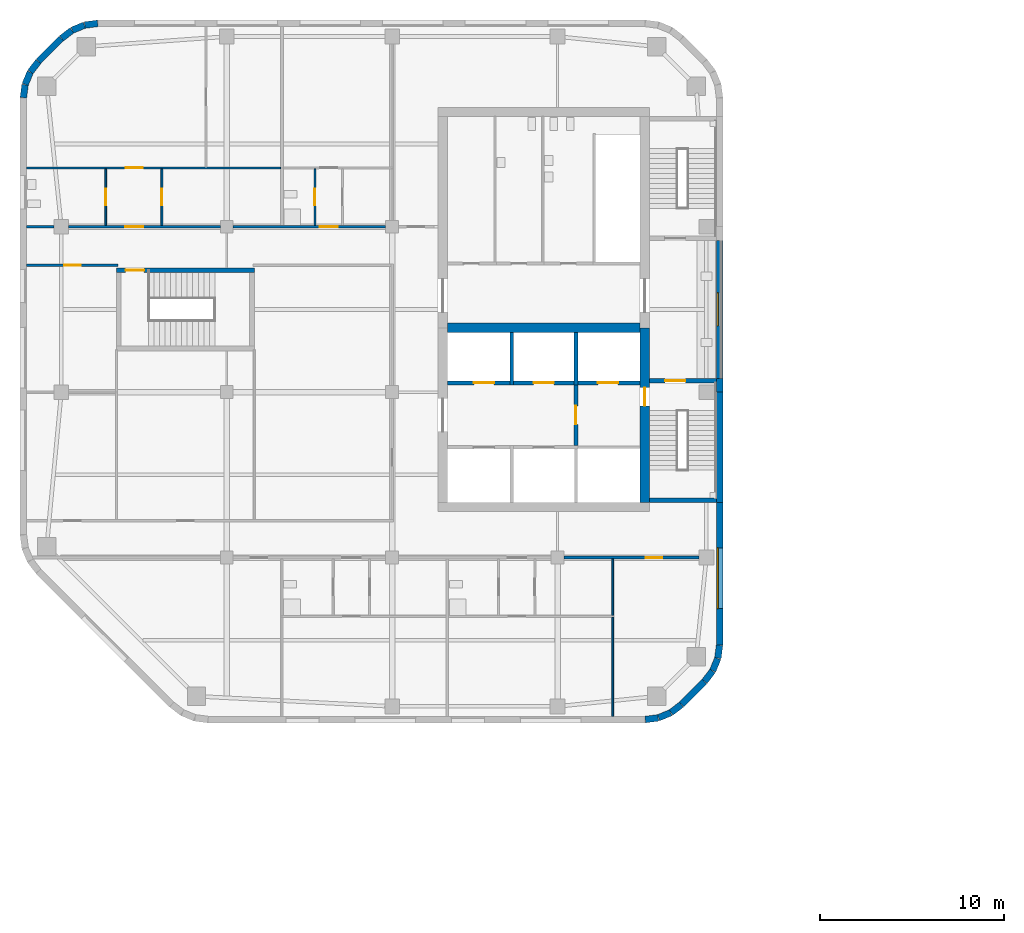
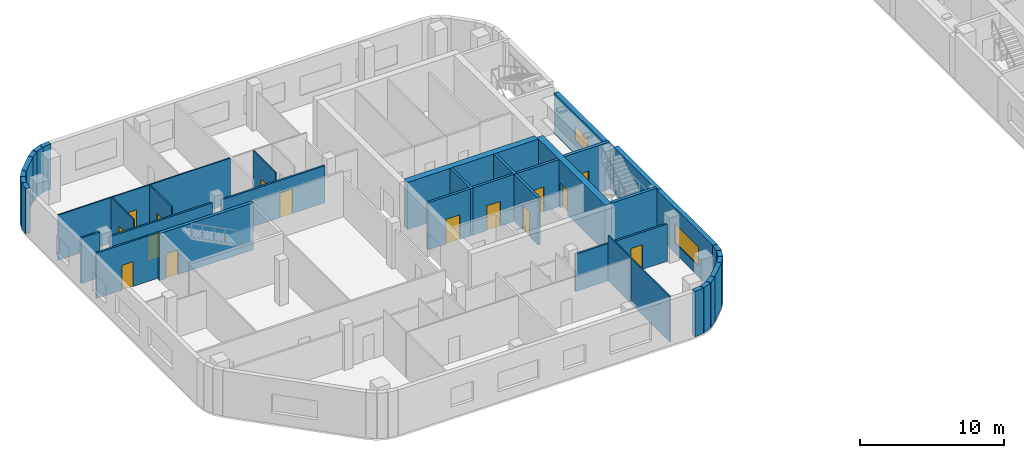
# One storey, part 6 of 15: 40 walls, 15 doors, 2 windows, 17 openings.
"""IFC4 building model written with IfcOpenShell, lengths in metres."""

from ifc_helpers import new_model, si_unit, direction, frame, frame_2d, origin, place, context, subcontext, project, spatial, rectangle, extrude, material, layer, layer_set, type_object, element, fill, save


model = new_model("IFC4")

# Units and contexts
model_context = context("Model", 3, precision=1e-05, world=origin(), true_north=direction((0.0, 1.0)))
body_context = subcontext(model_context, "Body", "Model", "MODEL_VIEW")
ifc_project = project(units=[si_unit("LENGTHUNIT", "METRE"), si_unit("AREAUNIT", "SQUARE_METRE"), si_unit("VOLUMEUNIT", "CUBIC_METRE"), si_unit("PLANEANGLEUNIT", "RADIAN"), si_unit("MASSUNIT", "GRAM", prefix="KILO")], contexts=[model_context])

# Site, building, storey
site_placement = place(None, origin())
site = spatial("IfcSite", under=ifc_project, at=site_placement, CompositionType="ELEMENT")
building_placement = place(site_placement, origin())
building = spatial("IfcBuilding", under=site, at=building_placement, Name="Cinnabar Reach Civic Tower", CompositionType="ELEMENT")
storey_placement = place(building_placement, frame((0.0, 0.0, 67.0)))
storey = spatial("IfcBuildingStorey", under=building, at=storey_placement, Name="L15", CompositionType="ELEMENT", Elevation=67.0)

# Walls
ifc_material_1 = material(Name="Facing brick with insulated backing", Category="masonry")
ifc_layer_1 = layer(ifc_material_1, 0.36)
ifc_layer_set_1 = layer_set([ifc_layer_1], Name="Brick corner wall")
wall_type_1 = type_object("IfcWallType", Name="Brick corner wall", PredefinedType="STANDARD", material=ifc_layer_set_1)
for number, where, z_axis, x_axis, name in (
    (1, (-31.2314, 9.183, 0.0), (0.0, 0.0, 1.0), (0.99144092581, 0.13055608231, 0.0), "Brick corner wall"),
    (2, (-30.5027, 9.2819, 0.0), (0.0, 0.0, 1.0), (0.923871547278, 0.382702709855, 0.0), "Brick corner wall"),
):
    element("IfcWall", number, at=place(storey_placement, frame(where, z_axis=z_axis, x_axis=x_axis)), inside=storey, type_object=wall_type_1, Name=name, PredefinedType="STANDARD", context=body_context, shape_type="SweptSolid", body=[
        extrude(rectangle(XDim=0.7131, YDim=0.36, at=frame_2d((0.3565, 0.0))), origin(), (0.0, 0.0, 1.0), 3.85),
    ])
for number, where, z_axis, x_axis, name in (
    (3, (-29.8245, 9.566, 0.0), (0.0, 0.0, 1.0), (0.793321924995, 0.608802368033, 0.0), "Brick corner wall"),
    (4, (-28.0002, 11.2587, 0.0), (0.0, 0.0, 1.0), (0.608802368033, 0.793321924995, 0.0), "Brick corner wall"),
):
    element("IfcWall", number, at=place(storey_placement, frame(where, z_axis=z_axis, x_axis=x_axis)), inside=storey, type_object=wall_type_1, Name=name, PredefinedType="STANDARD", context=body_context, shape_type="SweptSolid", body=[
        extrude(rectangle(XDim=0.7132, YDim=0.36, at=frame_2d((0.3566, 0.0))), origin(), (0.0, 0.0, 1.0), 3.85),
    ])
for number, where, z_axis, x_axis, name in (
    (5, (-27.5548, 11.8439, 0.0), (0.0, 0.0, 1.0), (0.382702709855, 0.923871547278, 0.0), "Brick corner wall"),
    (6, (-27.2761, 12.5244, 0.0), (0.0, 0.0, 1.0), (0.13055608231, 0.99144092581, 0.0), "Brick corner wall"),
    (7, (-61.0186, 47.067, 0.0), (0.0, 0.0, 1.0), (-0.99144092581, -0.13055608231, 0.0), "Brick corner wall"),
    (8, (-61.7473, 46.9681, 0.0), (0.0, 0.0, 1.0), (-0.923871547278, -0.382702709855, 0.0), "Brick corner wall"),
):
    element("IfcWall", number, at=place(storey_placement, frame(where, z_axis=z_axis, x_axis=x_axis)), inside=storey, type_object=wall_type_1, Name=name, PredefinedType="STANDARD", context=body_context, shape_type="SweptSolid", body=[
        extrude(rectangle(XDim=0.7131, YDim=0.36, at=frame_2d((0.3565, 0.0))), origin(), (0.0, 0.0, 1.0), 3.85),
    ])
for number, where, z_axis, x_axis, name in (
    (9, (-62.4255, 46.684, 0.0), (0.0, 0.0, 1.0), (-0.793321924995, -0.608802368033, 0.0), "Brick corner wall"),
    (10, (-64.2498, 44.9913, 0.0), (0.0, 0.0, 1.0), (-0.608802368033, -0.793321924995, 0.0), "Brick corner wall"),
):
    element("IfcWall", number, at=place(storey_placement, frame(where, z_axis=z_axis, x_axis=x_axis)), inside=storey, type_object=wall_type_1, Name=name, PredefinedType="STANDARD", context=body_context, shape_type="SweptSolid", body=[
        extrude(rectangle(XDim=0.7132, YDim=0.36, at=frame_2d((0.3566, 0.0))), origin(), (0.0, 0.0, 1.0), 3.85),
    ])
for number, where, z_axis, x_axis, name in (
    (11, (-64.6952, 44.4061, 0.0), (0.0, 0.0, 1.0), (-0.382702709855, -0.923871547278, 0.0), "Brick corner wall"),
    (12, (-64.9739, 43.7256, 0.0), (0.0, 0.0, 1.0), (-0.13055608231, -0.99144092581, 0.0), "Brick corner wall"),
):
    element("IfcWall", number, at=place(storey_placement, frame(where, z_axis=z_axis, x_axis=x_axis)), inside=storey, type_object=wall_type_1, Name=name, PredefinedType="STANDARD", context=body_context, shape_type="SweptSolid", body=[
        extrude(rectangle(XDim=0.7131, YDim=0.36, at=frame_2d((0.3565, 0.0))), origin(), (0.0, 0.0, 1.0), 3.85),
    ])
ifc_layer_2 = layer(ifc_material_1, 0.36)
ifc_layer_set_2 = layer_set([ifc_layer_2], Name="Brick pier and spandrel wall")
wall_type_2 = type_object("IfcWallType", Name="Brick pier and spandrel wall", PredefinedType="STANDARD", material=ifc_layer_set_2)
wall_1_placement = place(storey_placement, frame((-29.2486, 10.006, 0.0), z_axis=(0.0, 0.0, 1.0), x_axis=(0.707106781187, 0.707106781187, 0.0)))
element("IfcWall", 13, at=wall_1_placement, inside=storey, type_object=wall_type_2, Name="Brick facade wall", PredefinedType="STANDARD", context=body_context, shape_type="SweptSolid", body=[
    extrude(rectangle(XDim=1.7573, YDim=0.36, at=frame_2d((0.8787, 0.0))), origin(), (0.0, 0.0, 1.0), 3.85),
])

# Wall, opening, window
wall_2_placement = place(storey_placement, frame((-27.18, 13.2426, 0.0), z_axis=(0.0, 0.0, 1.0), x_axis=(0.0, 1.0, 0.0)))
wall_2 = element("IfcWall", 14, at=wall_2_placement, inside=storey, type_object=wall_type_2, Name="Brick facade wall", PredefinedType="STANDARD", context=body_context, shape_type="SweptSolid", body=[
    extrude(rectangle(XDim=7.7574, YDim=0.36, at=frame_2d((3.8787, 0.0))), origin(), (0.0, 0.0, 1.0), 3.85),
])
opening_1_placement = place(wall_2_placement, frame((1.9824, 0.0, 0.9)))
opening_1 = element("IfcOpeningElement", 15, at=opening_1_placement, cuts=wall_2, Name="Opening W2555", PredefinedType="OPENING", context=body_context, shape_type="SweptSolid", body=[
    extrude(rectangle(XDim=3.3, YDim=1.6, at=frame_2d((1.65, 0.8))), frame((0.0, 0.19, 0.0), z_axis=(0.0, -1.0, 0.0), x_axis=(1.0, 0.0, 0.0)), (0.0, 0.0, 1.0), 0.38),
])
ifc_material_2 = material(Name="Clear double glazing in aluminium frame", Category="aluminium")
window_type_1 = type_object("IfcWindowType", Name="Deep-set window A", PartitioningType="SINGLE_PANEL", PredefinedType="WINDOW", material=ifc_material_2)
window_1_placement = place(opening_1_placement, origin())
window_1 = element("IfcWindow", 16, at=window_1_placement, inside=storey, type_object=window_type_1, Name="Window east face", OverallHeight=1.6, OverallWidth=3.3, PartitioningType="SINGLE_PANEL", PredefinedType="WINDOW", context=body_context, shape_type="SweptSolid", body=[
    extrude(rectangle(XDim=3.3, YDim=1.6, at=frame_2d((1.65, 0.8))), frame((0.0, 0.13, 0.0), z_axis=(0.0, -1.0, 0.0), x_axis=(1.0, 0.0, 0.0)), (0.0, 0.0, 1.0), 0.06),
])
fill(opening_1, window_1)

# Walls
wall_3_placement = place(storey_placement, frame((-27.18, 21.0, 0.0), z_axis=(0.0, 0.0, 1.0), x_axis=(0.0, 1.0, 0.0)))
element("IfcWall", 17, at=wall_3_placement, inside=storey, type_object=wall_type_2, Name="Brick facade wall", PredefinedType="STANDARD", context=body_context, shape_type="SweptSolid", body=[
    extrude(rectangle(XDim=6.0, YDim=0.36, at=frame_2d((3.0, 0.0))), origin(), (0.0, 0.0, 1.0), 3.85),
])
wall_4_placement = place(storey_placement, frame((-27.18, 27.0, 0.0), z_axis=(0.0, 0.0, 1.0), x_axis=(0.0, 1.0, 0.0)))
element("IfcWall", 18, at=wall_4_placement, inside=storey, type_object=wall_type_2, Name="Brick facade wall", PredefinedType="STANDARD", context=body_context, shape_type="SweptSolid", body=[
    extrude(rectangle(XDim=0.75, YDim=0.36, at=frame_2d((0.375, 0.0))), origin(), (0.0, 0.0, 1.0), 3.436),
])

# Wall, opening, window
wall_5_placement = place(storey_placement, frame((-27.18, 27.75, 0.0), z_axis=(0.0, 0.0, 1.0), x_axis=(0.0, 1.0, 0.0)))
wall_5 = element("IfcWall", 19, at=wall_5_placement, inside=storey, type_object=wall_type_2, Name="Brick facade wall", PredefinedType="STANDARD", context=body_context, shape_type="SweptSolid", body=[
    extrude(rectangle(XDim=7.5, YDim=0.36, at=frame_2d((3.75, 0.0))), origin(), (0.0, 0.0, 1.0), 3.436),
])
opening_2_placement = place(wall_5_placement, frame((2.85, 0.0, 1.2)))
opening_2 = element("IfcOpeningElement", 20, at=opening_2_placement, cuts=wall_5, Name="Opening W2556", PredefinedType="OPENING", context=body_context, shape_type="SweptSolid", body=[
    extrude(rectangle(XDim=1.8, YDim=1.2, at=frame_2d((0.9, 0.6))), frame((0.0, 0.19, 0.0), z_axis=(0.0, -1.0, 0.0), x_axis=(1.0, 0.0, 0.0)), (0.0, 0.0, 1.0), 0.38),
])
window_type_2 = type_object("IfcWindowType", Name="Deep-set window C", PartitioningType="SINGLE_PANEL", PredefinedType="WINDOW", material=ifc_material_2)
window_2_placement = place(opening_2_placement, origin())
window_2 = element("IfcWindow", 21, at=window_2_placement, inside=storey, type_object=window_type_2, Name="Window east face", OverallHeight=1.2, OverallWidth=1.8, PartitioningType="SINGLE_PANEL", PredefinedType="WINDOW", context=body_context, shape_type="SweptSolid", body=[
    extrude(rectangle(XDim=1.8, YDim=1.2, at=frame_2d((0.9, 0.6))), frame((0.0, 0.13, 0.0), z_axis=(0.0, -1.0, 0.0), x_axis=(1.0, 0.0, 0.0)), (0.0, 0.0, 1.0), 0.06),
])
fill(opening_2, window_2)

# Wall
wall_6_placement = place(storey_placement, frame((-63.0014, 46.244, 0.0), z_axis=(0.0, 0.0, 1.0), x_axis=(-0.707106781187, -0.707106781187, 0.0)))
element("IfcWall", 22, at=wall_6_placement, inside=storey, type_object=wall_type_2, Name="Brick facade wall", PredefinedType="STANDARD", context=body_context, shape_type="SweptSolid", body=[
    extrude(rectangle(XDim=1.7573, YDim=0.36, at=frame_2d((0.8787, 0.0))), origin(), (0.0, 0.0, 1.0), 3.85),
])

# Wall, opening, door
ifc_material_3 = material(Name="Concrete C60", Category="concrete")
ifc_layer_3 = layer(ifc_material_3, 0.5)
ifc_layer_set_3 = layer_set([ifc_layer_3], Name="Core wall 500 EI 180")
wall_type_3 = type_object("IfcWallType", Name="Core wall 500 EI 180", PredefinedType="SOLIDWALL", material=ifc_layer_set_3)
wall_7_placement = place(storey_placement, frame((-31.25, 21.0, 0.0), z_axis=(0.0, 0.0, 1.0), x_axis=(0.0, 1.0, 0.0)))
wall_7 = element("IfcWall", 23, at=wall_7_placement, inside=storey, type_object=wall_type_3, Name="Core wall T2 L15 E", PredefinedType="SOLIDWALL", context=body_context, shape_type="SweptSolid", body=[
    extrude(rectangle(XDim=9.5, YDim=0.5, at=frame_2d((4.75, 0.0))), origin(), (0.0, 0.0, 1.0), 4.0),
])
opening_3_placement = place(wall_7_placement, frame((5.25, 0.0, 0.0)))
opening_3 = element("IfcOpeningElement", 24, at=opening_3_placement, cuts=wall_7, Name="Opening D6566", PredefinedType="OPENING", context=body_context, shape_type="SweptSolid", body=[
    extrude(rectangle(XDim=1.0, YDim=2.1, at=frame_2d((0.5, 1.05))), frame((0.0, 0.26, 0.0), z_axis=(0.0, -1.0, 0.0), x_axis=(1.0, 0.0, 0.0)), (0.0, 0.0, 1.0), 0.52),
])
ifc_material_4 = material(Name="Steel fire door", Category="steel")
door_type_1 = type_object("IfcDoorType", Name="T2 Firefighting lobby door 1000", OperationType="SINGLE_SWING_LEFT", PredefinedType="DOOR", material=ifc_material_4)
door_1_placement = place(opening_3_placement, frame((1.0, 0.0, 0.0), z_axis=(0.0, 0.0, 1.0), x_axis=(-1.0, 0.0, 0.0)))
door_1 = element("IfcDoor", 25, at=door_1_placement, inside=storey, type_object=door_type_1, Name="T2 Firefighting lobby door D6566", OperationType="SINGLE_SWING_LEFT", OverallHeight=2.1, OverallWidth=1.0, PredefinedType="DOOR", context=body_context, shape_type="SweptSolid", body=[
    extrude(rectangle(XDim=1.0, YDim=2.1, at=frame_2d((0.5, 1.05))), frame((0.0, 0.025, 0.0), z_axis=(0.0, -1.0, 0.0), x_axis=(1.0, 0.0, 0.0)), (0.0, 0.0, 1.0), 0.05),
])
fill(opening_3, door_1)

# Wall
wall_8_placement = place(storey_placement, frame((-42.0, 30.5, 0.0), z_axis=(0.0, 0.0, 1.0), x_axis=(1.0, 0.0, 0.0)))
element("IfcWall", 26, at=wall_8_placement, inside=storey, type_object=wall_type_3, Name="Core spine wall T2 L15", PredefinedType="SOLIDWALL", context=body_context, shape_type="SweptSolid", body=[
    extrude(rectangle(XDim=10.5, YDim=0.5, at=frame_2d((5.25, 0.0))), origin(), (0.0, 0.0, 1.0), 4.0),
])

# Wall, opening, door
ifc_material_5 = material(Name="Gypsum board on steel studs, double layer", Category="steel")
ifc_layer_4 = layer(ifc_material_5, 0.15)
ifc_layer_set_4 = layer_set([ifc_layer_4], Name="Corridor wall 150 T2")
wall_type_4 = type_object("IfcWallType", Name="Corridor wall 150 T2", PredefinedType="PARTITIONING", material=ifc_layer_set_4)
wall_9_placement = place(storey_placement, frame((-35.65, 18.0, 0.0), z_axis=(0.0, 0.0, 1.0), x_axis=(1.0, 0.0, 0.0)))
wall_9 = element("IfcWall", 27, at=wall_9_placement, inside=storey, type_object=wall_type_4, Name="Corridor wall 1", PredefinedType="PARTITIONING", context=body_context, shape_type="SweptSolid", body=[
    extrude(rectangle(XDim=7.35, YDim=0.15, at=frame_2d((3.675, 0.0))), origin(), (0.0, 0.0, 1.0), 3.158),
])
opening_4_placement = place(wall_9_placement, frame((4.45, 0.0, 0.0)))
opening_4 = element("IfcOpeningElement", 28, at=opening_4_placement, cuts=wall_9, Name="Opening D6585", PredefinedType="OPENING", context=body_context, shape_type="SweptSolid", body=[
    extrude(rectangle(XDim=0.9, YDim=2.1, at=frame_2d((0.45, 1.05))), frame((0.0, 0.085, 0.0), z_axis=(0.0, -1.0, 0.0), x_axis=(1.0, 0.0, 0.0)), (0.0, 0.0, 1.0), 0.17),
])
ifc_material_6 = material(Name="Timber door leaf in steel frame", Category="steel")
door_type_2 = type_object("IfcDoorType", Name="Single swing door 900 x 2100 T2", OperationType="SINGLE_SWING_LEFT", PredefinedType="DOOR", material=ifc_material_6)
door_2_placement = place(opening_4_placement, frame((0.9, 0.0, 0.0), z_axis=(0.0, 0.0, 1.0), x_axis=(-1.0, 0.0, 0.0)))
door_2 = element("IfcDoor", 29, at=door_2_placement, inside=storey, type_object=door_type_2, Name="Door D6585", OperationType="SINGLE_SWING_RIGHT", OverallHeight=2.1, OverallWidth=0.9, PredefinedType="DOOR", context=body_context, shape_type="SweptSolid", body=[
    extrude(rectangle(XDim=0.9, YDim=2.1, at=frame_2d((0.45, 1.05))), frame((0.0, 0.025, 0.0), z_axis=(0.0, -1.0, 0.0), x_axis=(1.0, 0.0, 0.0)), (0.0, 0.0, 1.0), 0.05),
])
fill(opening_4, door_2)

wall_10_placement = place(storey_placement, frame((-53.65, 36.0, 0.0), z_axis=(0.0, 0.0, 1.0), x_axis=(1.0, 0.0, 0.0)))
wall_10 = element("IfcWall", 30, at=wall_10_placement, inside=storey, type_object=wall_type_4, Name="Corridor wall 6", PredefinedType="PARTITIONING", context=body_context, shape_type="SweptSolid", body=[
    extrude(rectangle(XDim=8.3, YDim=0.15, at=frame_2d((4.15, 0.0))), origin(), (0.0, 0.0, 1.0), 3.158),
])
opening_5_placement = place(wall_10_placement, frame((4.7, 0.0, 0.0)))
opening_5 = element("IfcOpeningElement", 31, at=opening_5_placement, cuts=wall_10, Name="Opening D6594", PredefinedType="OPENING", context=body_context, shape_type="SweptSolid", body=[
    extrude(rectangle(XDim=1.0, YDim=2.1, at=frame_2d((0.5, 1.05))), frame((0.0, 0.085, 0.0), z_axis=(0.0, -1.0, 0.0), x_axis=(1.0, 0.0, 0.0)), (0.0, 0.0, 1.0), 0.17),
])
door_type_3 = type_object("IfcDoorType", Name="Tenancy entrance door 1000 x 2100 T2", OperationType="SINGLE_SWING_LEFT", PredefinedType="DOOR", material=ifc_material_6)
door_3_placement = place(opening_5_placement, origin())
door_3 = element("IfcDoor", 32, at=door_3_placement, inside=storey, type_object=door_type_3, Name="Door D6594", OperationType="SINGLE_SWING_RIGHT", OverallHeight=2.1, OverallWidth=1.0, PredefinedType="DOOR", context=body_context, shape_type="SweptSolid", body=[
    extrude(rectangle(XDim=1.0, YDim=2.1, at=frame_2d((0.5, 1.05))), frame((0.0, 0.025, 0.0), z_axis=(0.0, -1.0, 0.0), x_axis=(1.0, 0.0, 0.0)), (0.0, 0.0, 1.0), 0.05),
])
fill(opening_5, door_3)

wall_11_placement = place(storey_placement, frame((-62.6, 36.0, 0.0), z_axis=(0.0, 0.0, 1.0), x_axis=(1.0, 0.0, 0.0)))
wall_11 = element("IfcWall", 33, at=wall_11_placement, inside=storey, type_object=wall_type_4, Name="Corridor wall 7", PredefinedType="PARTITIONING", context=body_context, shape_type="SweptSolid", body=[
    extrude(rectangle(XDim=8.25, YDim=0.15, at=frame_2d((4.125, 0.0))), origin(), (0.0, 0.0, 1.0), 3.158),
])
opening_6_placement = place(wall_11_placement, frame((3.0659, 0.0, 0.0)))
opening_6 = element("IfcOpeningElement", 34, at=opening_6_placement, cuts=wall_11, Name="Opening D6590", PredefinedType="OPENING", context=body_context, shape_type="SweptSolid", body=[
    extrude(rectangle(XDim=1.0, YDim=2.1, at=frame_2d((0.5, 1.05))), frame((0.0, 0.085, 0.0), z_axis=(0.0, -1.0, 0.0), x_axis=(1.0, 0.0, 0.0)), (0.0, 0.0, 1.0), 0.17),
])
door_4_placement = place(opening_6_placement, origin())
door_4 = element("IfcDoor", 35, at=door_4_placement, inside=storey, type_object=door_type_3, Name="Door D6590", OperationType="SINGLE_SWING_RIGHT", OverallHeight=2.1, OverallWidth=1.0, PredefinedType="DOOR", context=body_context, shape_type="SweptSolid", body=[
    extrude(rectangle(XDim=1.0, YDim=2.1, at=frame_2d((0.5, 1.05))), frame((0.0, 0.025, 0.0), z_axis=(0.0, -1.0, 0.0), x_axis=(1.0, 0.0, 0.0)), (0.0, 0.0, 1.0), 0.05),
])
fill(opening_6, door_4)

# Wall
wall_12_placement = place(storey_placement, frame((-64.89, 36.0, 0.0), z_axis=(0.0, 0.0, 1.0), x_axis=(1.0, 0.0, 0.0)))
element("IfcWall", 36, at=wall_12_placement, inside=storey, type_object=wall_type_4, Name="Corridor wall 8", PredefinedType="PARTITIONING", context=body_context, shape_type="SweptSolid", body=[
    extrude(rectangle(XDim=1.49, YDim=0.15, at=frame_2d((0.745, 0.0))), origin(), (0.0, 0.0, 1.0), 3.85),
])

# Wall, opening, door
wall_13_placement = place(storey_placement, frame((-64.89, 33.9, 0.0), z_axis=(0.0, 0.0, 1.0), x_axis=(1.0, 0.0, 0.0)))
wall_13 = element("IfcWall", 37, at=wall_13_placement, inside=storey, type_object=wall_type_4, Name="Corridor wall 13", PredefinedType="PARTITIONING", context=body_context, shape_type="SweptSolid", body=[
    extrude(rectangle(XDim=4.965, YDim=0.15, at=frame_2d((2.4825, 0.0))), origin(), (0.0, 0.0, 1.0), 3.85),
])
opening_7_placement = place(wall_13_placement, frame((2.05, 0.0, 0.0)))
opening_7 = element("IfcOpeningElement", 38, at=opening_7_placement, cuts=wall_13, Name="Opening D6596", PredefinedType="OPENING", context=body_context, shape_type="SweptSolid", body=[
    extrude(rectangle(XDim=0.9, YDim=2.1, at=frame_2d((0.45, 1.05))), frame((0.0, 0.085, 0.0), z_axis=(0.0, -1.0, 0.0), x_axis=(1.0, 0.0, 0.0)), (0.0, 0.0, 1.0), 0.17),
])
door_5_placement = place(opening_7_placement, frame((0.9, 0.0, 0.0), z_axis=(0.0, 0.0, 1.0), x_axis=(-1.0, 0.0, 0.0)))
door_5 = element("IfcDoor", 39, at=door_5_placement, inside=storey, type_object=door_type_2, Name="Door D6596", OperationType="SINGLE_SWING_LEFT", OverallHeight=2.1, OverallWidth=0.9, PredefinedType="DOOR", context=body_context, shape_type="SweptSolid", body=[
    extrude(rectangle(XDim=0.9, YDim=2.1, at=frame_2d((0.45, 1.05))), frame((0.0, 0.025, 0.0), z_axis=(0.0, -1.0, 0.0), x_axis=(1.0, 0.0, 0.0)), (0.0, 0.0, 1.0), 0.05),
])
fill(opening_7, door_5)

ifc_material_7 = material(Name="Gypsum board on steel studs", Category="steel")
ifc_layer_5 = layer(ifc_material_7, 0.1)
ifc_layer_set_5 = layer_set([ifc_layer_5], Name="Partition wall 100 T2")
wall_type_5 = type_object("IfcWallType", Name="Partition wall 100 T2", PredefinedType="PARTITIONING", material=ifc_layer_set_5)
wall_14_placement = place(storey_placement, frame((-64.89, 39.2, 0.0), z_axis=(0.0, 0.0, 1.0), x_axis=(1.0, 0.0, 0.0)))
wall_14 = element("IfcWall", 40, at=wall_14_placement, inside=storey, type_object=wall_type_5, Name="Partition wall 17", PredefinedType="PARTITIONING", context=body_context, shape_type="SweptSolid", body=[
    extrude(rectangle(XDim=13.815, YDim=0.1, at=frame_2d((6.9075, 0.0))), origin(), (0.0, 0.0, 1.0), 3.85),
])
opening_8_placement = place(wall_14_placement, frame((5.4059, 0.0, 0.0)))
opening_8 = element("IfcOpeningElement", 41, at=opening_8_placement, cuts=wall_14, Name="Opening D6588", PredefinedType="OPENING", context=body_context, shape_type="SweptSolid", body=[
    extrude(rectangle(XDim=0.9, YDim=2.1, at=frame_2d((0.45, 1.05))), frame((0.0, 0.06, 0.0), z_axis=(0.0, -1.0, 0.0), x_axis=(1.0, 0.0, 0.0)), (0.0, 0.0, 1.0), 0.12),
])
door_6_placement = place(opening_8_placement, frame((0.9, 0.0, 0.0), z_axis=(0.0, 0.0, 1.0), x_axis=(-1.0, 0.0, 0.0)))
door_6 = element("IfcDoor", 42, at=door_6_placement, inside=storey, type_object=door_type_2, Name="Door D6588", OperationType="SINGLE_SWING_LEFT", OverallHeight=2.1, OverallWidth=0.9, PredefinedType="DOOR", context=body_context, shape_type="SweptSolid", body=[
    extrude(rectangle(XDim=0.9, YDim=2.1, at=frame_2d((0.45, 1.05))), frame((0.0, 0.025, 0.0), z_axis=(0.0, -1.0, 0.0), x_axis=(1.0, 0.0, 0.0)), (0.0, 0.0, 1.0), 0.05),
])
fill(opening_8, door_6)

# Walls
wall_15_placement = place(storey_placement, frame((-33.0, 14.85, 0.0), z_axis=(0.0, 0.0, 1.0), x_axis=(0.0, 1.0, 0.0)))
element("IfcWall", 43, at=wall_15_placement, inside=storey, type_object=wall_type_5, Name="Partition wall 26", PredefinedType="PARTITIONING", context=body_context, shape_type="SweptSolid", body=[
    extrude(rectangle(XDim=3.075, YDim=0.1, at=frame_2d((1.5375, 0.0))), origin(), (0.0, 0.0, 1.0), 3.85),
])
wall_16_placement = place(storey_placement, frame((-33.0, 9.36, 0.0), z_axis=(0.0, 0.0, 1.0), x_axis=(0.0, 1.0, 0.0)))
element("IfcWall", 44, at=wall_16_placement, inside=storey, type_object=wall_type_5, Name="Partition wall 27", PredefinedType="PARTITIONING", context=body_context, shape_type="SweptSolid", body=[
    extrude(rectangle(XDim=5.39, YDim=0.1, at=frame_2d((2.695, 0.0))), origin(), (0.0, 0.0, 1.0), 3.85),
])

# Wall, opening, door
wall_17_placement = place(storey_placement, frame((-60.5841, 36.075, 0.0), z_axis=(0.0, 0.0, 1.0), x_axis=(0.0, 1.0, 0.0)))
wall_17 = element("IfcWall", 45, at=wall_17_placement, inside=storey, type_object=wall_type_5, Name="Partition wall 31", PredefinedType="PARTITIONING", context=body_context, shape_type="SweptSolid", body=[
    extrude(rectangle(XDim=3.075, YDim=0.1, at=frame_2d((1.5375, 0.0))), origin(), (0.0, 0.0, 1.0), 3.85),
])
opening_9_placement = place(wall_17_placement, frame((1.1, 0.0, 0.0)))
opening_9 = element("IfcOpeningElement", 46, at=opening_9_placement, cuts=wall_17, Name="Opening D6586", PredefinedType="OPENING", context=body_context, shape_type="SweptSolid", body=[
    extrude(rectangle(XDim=0.9, YDim=2.1, at=frame_2d((0.45, 1.05))), frame((0.0, 0.06, 0.0), z_axis=(0.0, -1.0, 0.0), x_axis=(1.0, 0.0, 0.0)), (0.0, 0.0, 1.0), 0.12),
])
door_7_placement = place(opening_9_placement, origin())
door_7 = element("IfcDoor", 47, at=door_7_placement, inside=storey, type_object=door_type_2, Name="Door D6586", OperationType="SINGLE_SWING_RIGHT", OverallHeight=2.1, OverallWidth=0.9, PredefinedType="DOOR", context=body_context, shape_type="SweptSolid", body=[
    extrude(rectangle(XDim=0.9, YDim=2.1, at=frame_2d((0.45, 1.05))), frame((0.0, 0.025, 0.0), z_axis=(0.0, -1.0, 0.0), x_axis=(1.0, 0.0, 0.0)), (0.0, 0.0, 1.0), 0.05),
])
fill(opening_9, door_7)

wall_18_placement = place(storey_placement, frame((-57.5283, 36.075, 0.0), z_axis=(0.0, 0.0, 1.0), x_axis=(0.0, 1.0, 0.0)))
wall_18 = element("IfcWall", 48, at=wall_18_placement, inside=storey, type_object=wall_type_5, Name="Partition wall 32", PredefinedType="PARTITIONING", context=body_context, shape_type="SweptSolid", body=[
    extrude(rectangle(XDim=3.075, YDim=0.1, at=frame_2d((1.5375, 0.0))), origin(), (0.0, 0.0, 1.0), 3.85),
])
opening_10_placement = place(wall_18_placement, frame((1.1, 0.0, 0.0)))
opening_10 = element("IfcOpeningElement", 49, at=opening_10_placement, cuts=wall_18, Name="Opening D6587", PredefinedType="OPENING", context=body_context, shape_type="SweptSolid", body=[
    extrude(rectangle(XDim=0.9, YDim=2.1, at=frame_2d((0.45, 1.05))), frame((0.0, 0.06, 0.0), z_axis=(0.0, -1.0, 0.0), x_axis=(1.0, 0.0, 0.0)), (0.0, 0.0, 1.0), 0.12),
])
door_8_placement = place(opening_10_placement, origin())
door_8 = element("IfcDoor", 50, at=door_8_placement, inside=storey, type_object=door_type_2, Name="Door D6587", OperationType="SINGLE_SWING_LEFT", OverallHeight=2.1, OverallWidth=0.9, PredefinedType="DOOR", context=body_context, shape_type="SweptSolid", body=[
    extrude(rectangle(XDim=0.9, YDim=2.1, at=frame_2d((0.45, 1.05))), frame((0.0, 0.025, 0.0), z_axis=(0.0, -1.0, 0.0), x_axis=(1.0, 0.0, 0.0)), (0.0, 0.0, 1.0), 0.05),
])
fill(opening_10, door_8)

wall_19_placement = place(storey_placement, frame((-49.2, 36.075, 0.0), z_axis=(0.0, 0.0, 1.0), x_axis=(0.0, 1.0, 0.0)))
wall_19 = element("IfcWall", 51, at=wall_19_placement, inside=storey, type_object=wall_type_5, Name="Partition wall 33", PredefinedType="PARTITIONING", context=body_context, shape_type="SweptSolid", body=[
    extrude(rectangle(XDim=3.075, YDim=0.1, at=frame_2d((1.5375, 0.0))), origin(), (0.0, 0.0, 1.0), 3.85),
])
opening_11_placement = place(wall_19_placement, frame((1.1, 0.0, 0.0)))
opening_11 = element("IfcOpeningElement", 52, at=opening_11_placement, cuts=wall_19, Name="Opening D6591", PredefinedType="OPENING", context=body_context, shape_type="SweptSolid", body=[
    extrude(rectangle(XDim=0.9, YDim=2.1, at=frame_2d((0.45, 1.05))), frame((0.0, 0.06, 0.0), z_axis=(0.0, -1.0, 0.0), x_axis=(1.0, 0.0, 0.0)), (0.0, 0.0, 1.0), 0.12),
])
door_9_placement = place(opening_11_placement, origin())
door_9 = element("IfcDoor", 53, at=door_9_placement, inside=storey, type_object=door_type_2, Name="Door D6591", OperationType="SINGLE_SWING_RIGHT", OverallHeight=2.1, OverallWidth=0.9, PredefinedType="DOOR", context=body_context, shape_type="SweptSolid", body=[
    extrude(rectangle(XDim=0.9, YDim=2.1, at=frame_2d((0.45, 1.05))), frame((0.0, 0.025, 0.0), z_axis=(0.0, -1.0, 0.0), x_axis=(1.0, 0.0, 0.0)), (0.0, 0.0, 1.0), 0.05),
])
fill(opening_11, door_9)

# Wall
ifc_layer_6 = layer(ifc_material_3, 0.25)
ifc_layer_set_6 = layer_set([ifc_layer_6], Name="Stair shaft wall 250 EI 120")
wall_type_6 = type_object("IfcWallType", Name="Stair shaft wall 250 EI 120", PredefinedType="SOLIDWALL", material=ifc_layer_set_6)
wall_20_placement = place(storey_placement, frame((-31.0, 21.125, 0.0), z_axis=(0.0, 0.0, 1.0), x_axis=(1.0, 0.0, 0.0)))
element("IfcWall", 54, at=wall_20_placement, inside=storey, type_object=wall_type_6, Name="Stair shaft wall T2-S1 L15", PredefinedType="SOLIDWALL", context=body_context, shape_type="SweptSolid", body=[
    extrude(rectangle(XDim=3.64, YDim=0.25, at=frame_2d((1.82, 0.0))), origin(), (0.0, 0.0, 1.0), 4.0),
])

# Wall, opening, door
wall_21_placement = place(storey_placement, frame((-27.36, 27.625, 0.0), z_axis=(0.0, 0.0, 1.0), x_axis=(-1.0, 0.0, 0.0)))
wall_21 = element("IfcWall", 55, at=wall_21_placement, inside=storey, type_object=wall_type_6, Name="Stair shaft wall T2-S1 L15", PredefinedType="SOLIDWALL", context=body_context, shape_type="SweptSolid", body=[
    extrude(rectangle(XDim=3.64, YDim=0.25, at=frame_2d((1.82, 0.0))), origin(), (0.0, 0.0, 1.0), 4.0),
])
opening_12_placement = place(wall_21_placement, frame((1.69, 0.0, 0.0)))
opening_12 = element("IfcOpeningElement", 56, at=opening_12_placement, cuts=wall_21, Name="Opening D6567", PredefinedType="OPENING", context=body_context, shape_type="SweptSolid", body=[
    extrude(rectangle(XDim=1.1, YDim=2.1, at=frame_2d((0.55, 1.05))), frame((0.0, 0.135, 0.0), z_axis=(0.0, -1.0, 0.0), x_axis=(1.0, 0.0, 0.0)), (0.0, 0.0, 1.0), 0.27),
])
door_type_4 = type_object("IfcDoorType", Name="T2 Stair door 1100", OperationType="SINGLE_SWING_LEFT", PredefinedType="DOOR", material=ifc_material_4)
door_10_placement = place(opening_12_placement, origin())
door_10 = element("IfcDoor", 57, at=door_10_placement, inside=storey, type_object=door_type_4, Name="T2 Stair door D6567", OperationType="SINGLE_SWING_RIGHT", OverallHeight=2.1, OverallWidth=1.1, PredefinedType="DOOR", context=body_context, shape_type="SweptSolid", body=[
    extrude(rectangle(XDim=1.1, YDim=2.1, at=frame_2d((0.55, 1.05))), frame((0.0, 0.025, 0.0), z_axis=(0.0, -1.0, 0.0), x_axis=(1.0, 0.0, 0.0)), (0.0, 0.0, 1.0), 0.05),
])
fill(opening_12, door_10)

wall_22_placement = place(storey_placement, frame((-52.5, 33.625, 0.0), z_axis=(0.0, 0.0, 1.0), x_axis=(-1.0, 0.0, 0.0)))
wall_22 = element("IfcWall", 58, at=wall_22_placement, inside=storey, type_object=wall_type_6, Name="Stair shaft wall T2-S3 L15", PredefinedType="SOLIDWALL", context=body_context, shape_type="SweptSolid", body=[
    extrude(rectangle(XDim=7.5, YDim=0.25, at=frame_2d((3.75, 0.0))), origin(), (0.0, 0.0, 1.0), 4.0),
])
opening_13_placement = place(wall_22_placement, frame((6.0, 0.0, 0.0)))
opening_13 = element("IfcOpeningElement", 59, at=opening_13_placement, cuts=wall_22, Name="Opening D6599", PredefinedType="OPENING", context=body_context, shape_type="SweptSolid", body=[
    extrude(rectangle(XDim=1.0, YDim=2.1, at=frame_2d((0.5, 1.05))), frame((0.0, 0.135, 0.0), z_axis=(0.0, -1.0, 0.0), x_axis=(1.0, 0.0, 0.0)), (0.0, 0.0, 1.0), 0.27),
])
door_type_5 = type_object("IfcDoorType", Name="Stair door 1000 x 2100 T2", OperationType="SINGLE_SWING_LEFT", PredefinedType="DOOR", material=ifc_material_6)
door_11_placement = place(opening_13_placement, origin())
door_11 = element("IfcDoor", 60, at=door_11_placement, inside=storey, type_object=door_type_5, Name="Door D6599", OperationType="SINGLE_SWING_RIGHT", OverallHeight=2.1, OverallWidth=1.0, PredefinedType="DOOR", context=body_context, shape_type="SweptSolid", body=[
    extrude(rectangle(XDim=1.0, YDim=2.1, at=frame_2d((0.5, 1.05))), frame((0.0, 0.025, 0.0), z_axis=(0.0, -1.0, 0.0), x_axis=(1.0, 0.0, 0.0)), (0.0, 0.0, 1.0), 0.05),
])
fill(opening_13, door_11)

# Wall
ifc_material_8 = material(Name="Concrete C40", Category="concrete")
ifc_layer_7 = layer(ifc_material_8, 0.2)
ifc_layer_set_7 = layer_set([ifc_layer_7], Name="T2 Shaft wall 200")
wall_type_7 = type_object("IfcWallType", Name="T2 Shaft wall 200", PredefinedType="SOLIDWALL", material=ifc_layer_set_7)
wall_23_placement = place(storey_placement, frame((-38.5, 27.4, 0.0), z_axis=(0.0, 0.0, 1.0), x_axis=(0.0, 1.0, 0.0)))
element("IfcWall", 61, at=wall_23_placement, inside=storey, type_object=wall_type_7, Name="T2 Shaft wall L15 004", PredefinedType="SOLIDWALL", context=body_context, shape_type="SweptSolid", body=[
    extrude(rectangle(XDim=2.85, YDim=0.2, at=frame_2d((1.425, 0.0))), origin(), (0.0, 0.0, 1.0), 4.0),
])

# Wall, opening, door
wall_24_placement = place(storey_placement, frame((-42.0, 27.5, 0.0), z_axis=(0.0, 0.0, 1.0), x_axis=(1.0, 0.0, 0.0)))
wall_24 = element("IfcWall", 62, at=wall_24_placement, inside=storey, type_object=wall_type_7, Name="T2 Shaft wall L15 005", PredefinedType="SOLIDWALL", context=body_context, shape_type="SweptSolid", body=[
    extrude(rectangle(XDim=3.4, YDim=0.2, at=frame_2d((1.7, 0.0))), origin(), (0.0, 0.0, 1.0), 4.0),
])
opening_14_placement = place(wall_24_placement, frame((1.45, 0.0, 0.0)))
opening_14 = element("IfcOpeningElement", 63, at=opening_14_placement, cuts=wall_24, Name="Opening D6562", PredefinedType="OPENING", context=body_context, shape_type="SweptSolid", body=[
    extrude(rectangle(XDim=1.1, YDim=2.1, at=frame_2d((0.55, 1.05))), frame((0.0, 0.11, 0.0), z_axis=(0.0, -1.0, 0.0), x_axis=(1.0, 0.0, 0.0)), (0.0, 0.0, 1.0), 0.22),
])
door_type_6 = type_object("IfcDoorType", Name="T2 Lift landing door 1100", OperationType="SLIDING_TO_LEFT", PredefinedType="DOOR", material=ifc_material_4)
door_12_placement = place(opening_14_placement, origin())
door_12 = element("IfcDoor", 64, at=door_12_placement, inside=storey, type_object=door_type_6, Name="T2 Lift landing door D6562", OperationType="SLIDING_TO_LEFT", OverallHeight=2.1, OverallWidth=1.1, PredefinedType="DOOR", context=body_context, shape_type="SweptSolid", body=[
    extrude(rectangle(XDim=1.1, YDim=2.1, at=frame_2d((0.55, 1.05))), frame((0.0, 0.025, 0.0), z_axis=(0.0, -1.0, 0.0), x_axis=(1.0, 0.0, 0.0)), (0.0, 0.0, 1.0), 0.05),
])
fill(opening_14, door_12)

# Wall
wall_25_placement = place(storey_placement, frame((-35.0, 27.4, 0.0), z_axis=(0.0, 0.0, 1.0), x_axis=(0.0, 1.0, 0.0)))
element("IfcWall", 65, at=wall_25_placement, inside=storey, type_object=wall_type_7, Name="T2 Shaft wall L15 006", PredefinedType="SOLIDWALL", context=body_context, shape_type="SweptSolid", body=[
    extrude(rectangle(XDim=2.85, YDim=0.2, at=frame_2d((1.425, 0.0))), origin(), (0.0, 0.0, 1.0), 4.0),
])

# Wall, opening, door
wall_26_placement = place(storey_placement, frame((-38.4, 27.5, 0.0), z_axis=(0.0, 0.0, 1.0), x_axis=(1.0, 0.0, 0.0)))
wall_26 = element("IfcWall", 66, at=wall_26_placement, inside=storey, type_object=wall_type_7, Name="T2 Shaft wall L15 007", PredefinedType="SOLIDWALL", context=body_context, shape_type="SweptSolid", body=[
    extrude(rectangle(XDim=3.3, YDim=0.2, at=frame_2d((1.65, 0.0))), origin(), (0.0, 0.0, 1.0), 4.0),
])
opening_15_placement = place(wall_26_placement, frame((1.1, 0.0, 0.0)))
opening_15 = element("IfcOpeningElement", 67, at=opening_15_placement, cuts=wall_26, Name="Opening D6563", PredefinedType="OPENING", context=body_context, shape_type="SweptSolid", body=[
    extrude(rectangle(XDim=1.1, YDim=2.1, at=frame_2d((0.55, 1.05))), frame((0.0, 0.11, 0.0), z_axis=(0.0, -1.0, 0.0), x_axis=(1.0, 0.0, 0.0)), (0.0, 0.0, 1.0), 0.22),
])
door_13_placement = place(opening_15_placement, origin())
door_13 = element("IfcDoor", 68, at=door_13_placement, inside=storey, type_object=door_type_6, Name="T2 Lift landing door D6563", OperationType="SLIDING_TO_LEFT", OverallHeight=2.1, OverallWidth=1.1, PredefinedType="DOOR", context=body_context, shape_type="SweptSolid", body=[
    extrude(rectangle(XDim=1.1, YDim=2.1, at=frame_2d((0.55, 1.05))), frame((0.0, 0.025, 0.0), z_axis=(0.0, -1.0, 0.0), x_axis=(1.0, 0.0, 0.0)), (0.0, 0.0, 1.0), 0.05),
])
fill(opening_15, door_13)

wall_27_placement = place(storey_placement, frame((-34.9, 27.5, 0.0), z_axis=(0.0, 0.0, 1.0), x_axis=(1.0, 0.0, 0.0)))
wall_27 = element("IfcWall", 69, at=wall_27_placement, inside=storey, type_object=wall_type_7, Name="T2 Shaft wall L15 008", PredefinedType="SOLIDWALL", context=body_context, shape_type="SweptSolid", body=[
    extrude(rectangle(XDim=3.4, YDim=0.2, at=frame_2d((1.7, 0.0))), origin(), (0.0, 0.0, 1.0), 4.0),
])
opening_16_placement = place(wall_27_placement, frame((1.1, 0.0, 0.0)))
opening_16 = element("IfcOpeningElement", 70, at=opening_16_placement, cuts=wall_27, Name="Opening D6564", PredefinedType="OPENING", context=body_context, shape_type="SweptSolid", body=[
    extrude(rectangle(XDim=1.1, YDim=2.1, at=frame_2d((0.55, 1.05))), frame((0.0, 0.11, 0.0), z_axis=(0.0, -1.0, 0.0), x_axis=(1.0, 0.0, 0.0)), (0.0, 0.0, 1.0), 0.22),
])
door_type_7 = type_object("IfcDoorType", Name="T2 Firefighting lift landing door 1100", OperationType="SLIDING_TO_LEFT", PredefinedType="DOOR", material=ifc_material_4)
door_14_placement = place(opening_16_placement, origin())
door_14 = element("IfcDoor", 71, at=door_14_placement, inside=storey, type_object=door_type_7, Name="T2 Firefighting lift landing door D6564", OperationType="SLIDING_TO_LEFT", OverallHeight=2.1, OverallWidth=1.1, PredefinedType="DOOR", context=body_context, shape_type="SweptSolid", body=[
    extrude(rectangle(XDim=1.1, YDim=2.1, at=frame_2d((0.55, 1.05))), frame((0.0, 0.025, 0.0), z_axis=(0.0, -1.0, 0.0), x_axis=(1.0, 0.0, 0.0)), (0.0, 0.0, 1.0), 0.05),
])
fill(opening_16, door_14)

wall_28_placement = place(storey_placement, frame((-35.0, 24.1, 0.0), z_axis=(0.0, 0.0, 1.0), x_axis=(0.0, 1.0, 0.0)))
wall_28 = element("IfcWall", 72, at=wall_28_placement, inside=storey, type_object=wall_type_7, Name="T2 Shaft wall L15 009", PredefinedType="SOLIDWALL", context=body_context, shape_type="SweptSolid", body=[
    extrude(rectangle(XDim=3.3, YDim=0.2, at=frame_2d((1.65, 0.0))), origin(), (0.0, 0.0, 1.0), 4.0),
])
opening_17_placement = place(wall_28_placement, frame((1.15, 0.0, 0.0)))
opening_17 = element("IfcOpeningElement", 73, at=opening_17_placement, cuts=wall_28, Name="Opening D6565", PredefinedType="OPENING", context=body_context, shape_type="SweptSolid", body=[
    extrude(rectangle(XDim=1.0, YDim=2.1, at=frame_2d((0.5, 1.05))), frame((0.0, 0.11, 0.0), z_axis=(0.0, -1.0, 0.0), x_axis=(1.0, 0.0, 0.0)), (0.0, 0.0, 1.0), 0.22),
])
door_15_placement = place(opening_17_placement, origin())
door_15 = element("IfcDoor", 74, at=door_15_placement, inside=storey, type_object=door_type_1, Name="T2 Firefighting lobby door D6565", OperationType="SINGLE_SWING_RIGHT", OverallHeight=2.1, OverallWidth=1.0, PredefinedType="DOOR", context=body_context, shape_type="SweptSolid", body=[
    extrude(rectangle(XDim=1.0, YDim=2.1, at=frame_2d((0.5, 1.05))), frame((0.0, 0.025, 0.0), z_axis=(0.0, -1.0, 0.0), x_axis=(1.0, 0.0, 0.0)), (0.0, 0.0, 1.0), 0.05),
])
fill(opening_17, door_15)

save(model, "model.ifc")
